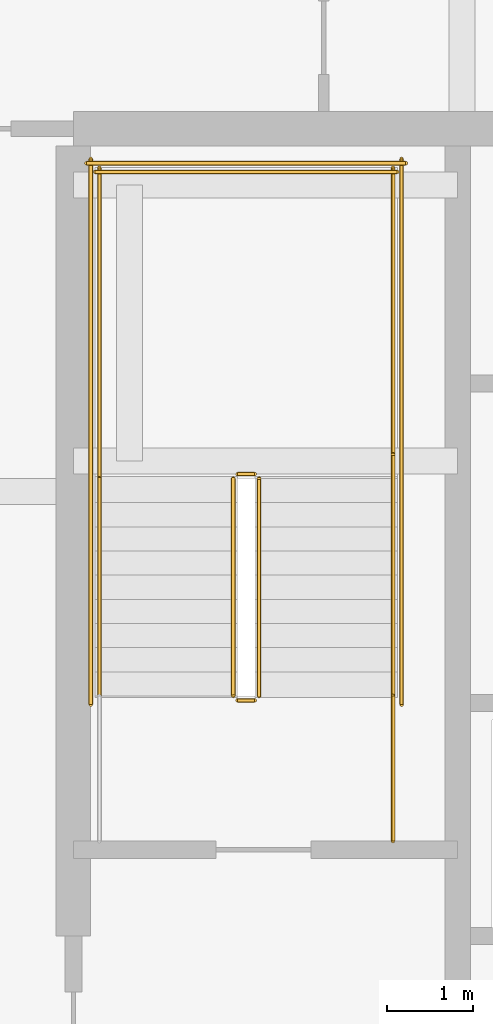
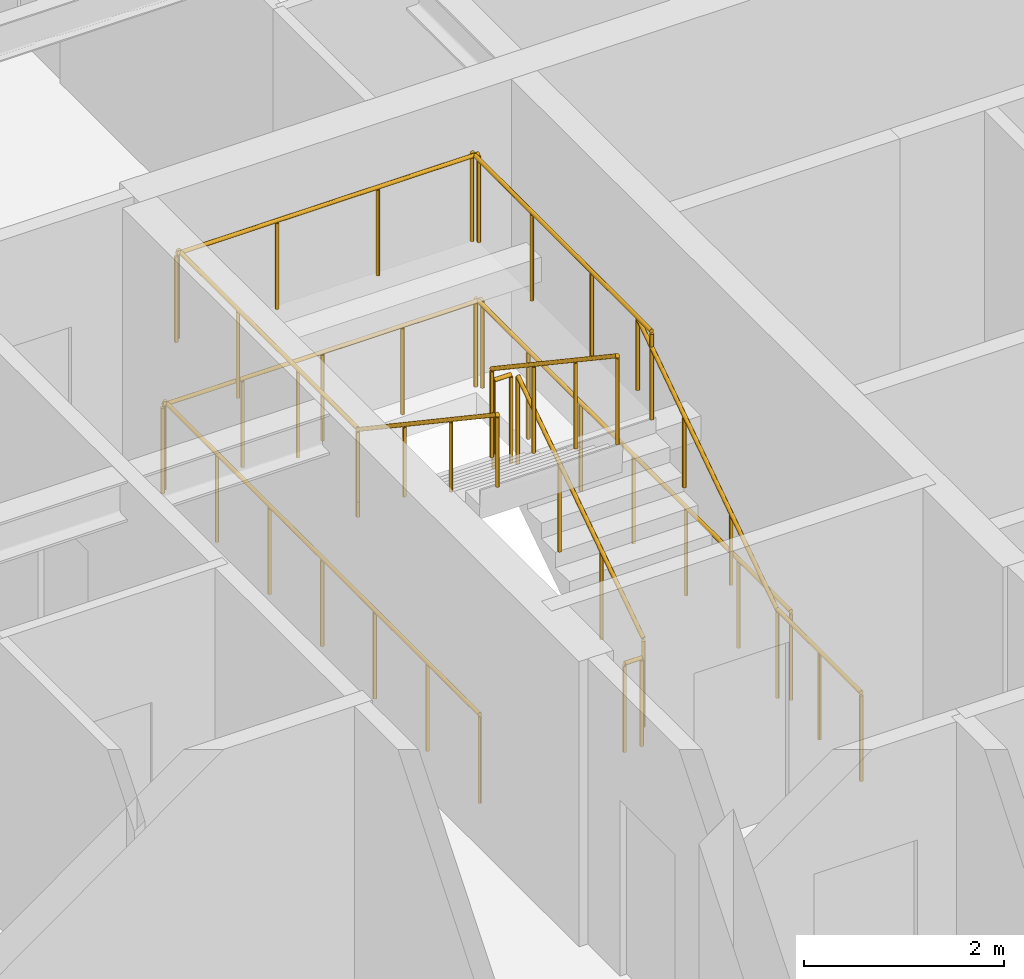
# One storey, part 30 of 33: 13 railings.
"""IFC4 building model written with IfcOpenShell, lengths in metres."""

import ifcopenshell
import ifcopenshell.guid

model = None  # the IFC model being written
_history = None  # IfcOwnerHistory: only IFC2X3 demands one
_inside = {}  # id of a spatial element -> (the spatial element, [elements in it])
_under = {}  # id of a project, library or spatial element -> (it, [spatial elements below it])
_declared = {}  # id of a project -> (the project, [libraries it declares])
_typed = {}  # id of a type object -> (the type object, [elements of that type])
_made_of = {}  # id of a material, layer set ... -> (it, [elements and type objects made of it])


def new_model(schema):
    """Start an empty IFC model of exactly this schema.

    Asked for "IFC4X3", IfcOpenShell would pick the latest addendum, in which some entities
    have other attributes; the version numbers below select the first issue.
    IFC2X3 requires an IfcOwnerHistory on every rooted entity: one is made here for all.
    """
    global model, _history
    if schema == "IFC4X3":
        model = ifcopenshell.file(schema_version=(4, 3, 0, 0))
    else:
        model = ifcopenshell.file(schema=schema)
    _inside.clear()
    _under.clear()
    _declared.clear()
    _typed.clear()
    _made_of.clear()
    _history = None
    if model.schema == "IFC2X3":
        org = make("IfcOrganization", Name="unknown")
        user = make(
            "IfcPersonAndOrganization",
            ThePerson=make("IfcPerson", FamilyName="unknown"),
            TheOrganization=org,
        )
        app = make(
            "IfcApplication",
            ApplicationDeveloper=org,
            Version="unknown",
            ApplicationFullName="unknown",
            ApplicationIdentifier="unknown",
        )
        _history = make(
            "IfcOwnerHistory",
            OwningUser=user,
            OwningApplication=app,
            ChangeAction="ADDED",
            CreationDate=0,
        )
    return model


def make(cls, **values):
    """One entity of the class cls with the attributes given. An attribute that is None is left unset."""
    return model.create_entity(
        cls, **{name: value for name, value in values.items() if value is not None}
    )


def rooted(cls, **values):
    """An entity with a GlobalId (a new one), such as an element, a storey or a relation."""
    return make(cls, GlobalId=ifcopenshell.guid.new(), OwnerHistory=_history, **values)


def si_unit(unit_type, name, prefix=None):
    """IfcSIUnit, for example si_unit("LENGTHUNIT", "METRE", prefix="MILLI")."""
    return make("IfcSIUnit", UnitType=unit_type, Prefix=prefix, Name=name)


def assignment(units):
    """IfcUnitAssignment: the units of a project."""
    return None if units is None else make("IfcUnitAssignment", Units=units)


def point(xyz):
    """IfcCartesianPoint."""
    return None if xyz is None else make("IfcCartesianPoint", Coordinates=xyz)


def direction(xyz):
    """IfcDirection."""
    return None if xyz is None else make("IfcDirection", DirectionRatios=xyz)


def frame(location, z_axis=None, x_axis=None):
    """IfcAxis2Placement3D, a coordinate frame: its origin and axes. An axis left out is left unset."""
    return make(
        "IfcAxis2Placement3D",
        Location=point(location),
        Axis=direction(z_axis),
        RefDirection=direction(x_axis),
    )


def frame_2d(location, x_axis=None):
    """IfcAxis2Placement2D, a coordinate frame in the plane: its origin and x axis."""
    return make(
        "IfcAxis2Placement2D", Location=point(location), RefDirection=direction(x_axis)
    )


def origin():
    """The frame at (0, 0, 0) with its axes left unset."""
    return frame((0.0, 0.0, 0.0))


def origin_2d():
    """The frame at (0, 0) in the plane with its x axis left unset."""
    return frame_2d((0.0, 0.0))


def place(relative_to, where):
    """IfcLocalPlacement: puts the frame where relative to a parent placement (None: the world)."""
    return make(
        "IfcLocalPlacement", PlacementRelTo=relative_to, RelativePlacement=where
    )


def context(
    kind, dimensions, precision=None, world=None, true_north=None, identifier=None
):
    """IfcGeometricRepresentationContext, for example the 3D "Model" context."""
    return make(
        "IfcGeometricRepresentationContext",
        ContextIdentifier=identifier,
        ContextType=kind,
        CoordinateSpaceDimension=dimensions,
        Precision=precision,
        WorldCoordinateSystem=world,
        TrueNorth=true_north,
    )


def subcontext(parent, identifier, kind, view, scale=None):
    """IfcGeometricRepresentationSubContext, for example "Body" below "Model"."""
    return make(
        "IfcGeometricRepresentationSubContext",
        ContextIdentifier=identifier,
        ContextType=kind,
        ParentContext=parent,
        TargetScale=scale,
        TargetView=view,
    )


def project(units=None, contexts=None):
    """IfcProject with its units and contexts."""
    return rooted(
        "IfcProject",
        Name="project",
        RepresentationContexts=contexts,
        UnitsInContext=assignment(units),
    )


def spatial(cls, under=None, at=None, **own):
    """A site, building, storey or space (cls), placed at a placement, below another one or the project."""
    s = rooted(cls, ObjectPlacement=at, **own)
    if under is not None:
        _under.setdefault(under.id(), (under, []))[1].append(s)
    return s


def profile(cls, at=None, kind="AREA", **sizes):
    """A parametric profile (cls). Its sizes go by their IFC names, for example OverallWidth=200.0."""
    return make(cls, ProfileType=kind, Position=at, **sizes)


def circle(**sizes):
    """IfcCircleProfileDef."""
    return profile("IfcCircleProfileDef", **sizes)


def extrude(swept, where, along, depth):
    """IfcExtrudedAreaSolid: the profile swept, set in the frame where, extruded along a direction by depth."""
    return make(
        "IfcExtrudedAreaSolid",
        SweptArea=swept,
        Position=where,
        ExtrudedDirection=direction(along),
        Depth=depth,
    )


def shape(context_of_items, identifier, shape_type, items):
    """IfcShapeRepresentation: the items that make up one representation, for example the "Body"."""
    return make(
        "IfcShapeRepresentation",
        ContextOfItems=context_of_items,
        RepresentationIdentifier=identifier,
        RepresentationType=shape_type,
        Items=items,
    )


def material(Name=None, Category=None):
    """IfcMaterial."""
    return make("IfcMaterial", Name=Name, Category=Category)


def made_of(thing, what):
    """Note that an element or type object is made of a material, layer set ...; save() writes the relation."""
    if what is not None:
        _made_of.setdefault(what.id(), (what, []))[1].append(thing)
    return thing


def type_object(cls, material=None, **own):
    """A type object (cls), such as IfcWallType, which elements share."""
    return made_of(rooted(cls, **own), material)


def element(
    cls,
    number,
    at=None,
    inside=None,
    cuts=None,
    type_object=None,
    material=None,
    context=None,
    identifier="Body",
    shape_type=None,
    held_by="IfcProductDefinitionShape",
    body=None,
    shapes=None,
    **own,
):
    """One element of the class cls, such as IfcWall. Its Tag is "e" and its number.

    at: its placement. inside: the storey or other place that contains it. cuts: it is an
    opening in that element (IfcRelVoidsElement). A single representation is given by context,
    identifier, shape_type and body (its items); several are given by shapes. held_by: the class
    of the entity that holds the representations. save() writes the other relations.
    """
    e = rooted(cls, Tag="e%d" % number, ObjectPlacement=at, **own)
    if body is not None:
        shapes = [shape(context, identifier, shape_type, body)]
    if shapes is not None:
        e.Representation = make(held_by, Representations=shapes)
    if inside is not None:
        _inside.setdefault(inside.id(), (inside, []))[1].append(e)
    if cuts is not None:
        rooted(
            "IfcRelVoidsElement", RelatingBuildingElement=cuts, RelatedOpeningElement=e
        )
    if type_object is not None:
        _typed.setdefault(type_object.id(), (type_object, []))[1].append(e)
    return made_of(e, material)


def aggregate(whole, parts):
    """IfcRelAggregates: a whole, such as a stair, and the parts it consists of."""
    return rooted("IfcRelAggregates", RelatingObject=whole, RelatedObjects=parts)


def save(model, path):
    """Write the relations noted so far, then the file.

    IfcRelAggregates (storeys below a building ...), IfcRelContainedInSpatialStructure (elements
    in a storey), IfcRelDefinesByType, IfcRelAssociatesMaterial and IfcRelDeclares: one each for
    every whole, place, type object, material and project.
    """
    for whole, parts in _under.values():
        aggregate(whole, parts)
    for where, things in _inside.values():
        rooted(
            "IfcRelContainedInSpatialStructure",
            RelatedElements=things,
            RelatingStructure=where,
        )
    for kind, things in _typed.values():
        rooted("IfcRelDefinesByType", RelatedObjects=things, RelatingType=kind)
    for what, things in _made_of.values():
        rooted("IfcRelAssociatesMaterial", RelatedObjects=things, RelatingMaterial=what)
    for by, libraries in _declared.values():
        rooted("IfcRelDeclares", RelatingContext=by, RelatedDefinitions=libraries)
    model.write(path)


model = new_model("IFC4")

# Units and contexts
model_context = context("Model", 3, precision=1e-05, world=origin(), true_north=direction((0.0, 1.0)))
body_context = subcontext(model_context, "Body", "Model", "MODEL_VIEW")
ifc_project = project(units=[si_unit("LENGTHUNIT", "METRE"), si_unit("AREAUNIT", "SQUARE_METRE"), si_unit("VOLUMEUNIT", "CUBIC_METRE"), si_unit("PLANEANGLEUNIT", "RADIAN"), si_unit("MASSUNIT", "GRAM", prefix="KILO")], contexts=[model_context])

# Site, building, storey
site_placement = place(None, origin())
site = spatial("IfcSite", under=ifc_project, at=site_placement, CompositionType="ELEMENT")
building_placement = place(site_placement, origin())
building = spatial("IfcBuilding", under=site, at=building_placement, Name="Serunith Strait Residences", CompositionType="ELEMENT")
storey_placement = place(building_placement, frame((0.0, 0.0, 150.14990234375)))
storey = spatial("IfcBuildingStorey", under=building, at=storey_placement, Name="L37", CompositionType="ELEMENT", Elevation=150.14990234375)

# Railings
ifc_material = material(Name="Brushed stainless steel 316L", Category="steel")
railing_type_1 = type_object("IfcRailingType", Name="RLG-STAIR-GUARD", PredefinedType="BALUSTRADE", material=ifc_material)
railing_1_placement = place(storey_placement, frame((25.550048828125, 27.030029296875, 0.1875)))
element("IfcRailing", 1, at=railing_1_placement, inside=storey, type_object=railing_type_1, Name="L37 ST-1 stair guard 1", PredefinedType="BALUSTRADE", context=body_context, shape_type="SweptSolid", body=[
    extrude(circle(Radius=0.02392578125, at=origin_2d()), frame((0.0, 0.001708984375, 1.0771484375), z_axis=(0.0, 0.830909170722, 0.55640807867), x_axis=(-1.0, 0.0, 0.0)), (0.0, 0.0, 1.0), 3.02880859375),
    extrude(circle(Radius=0.02099609375, at=origin_2d()), origin(), (0.0, 0.0, 1.0), 1.050048828125),
    extrude(circle(Radius=0.02099609375, at=origin_2d()), frame((0.0, 0.840087890625, 0.5625)), (0.0, 0.0, 1.0), 1.050048828125),
    extrude(circle(Radius=0.02099609375, at=origin_2d()), frame((0.0, 1.679931640625, 1.125)), (0.0, 0.0, 1.0), 1.050048828125),
    extrude(circle(Radius=0.02099609375, at=origin_2d()), frame((0.0, 2.52001953125, 1.6875)), (0.0, 0.0, 1.0), 1.050048828125),
])
railing_2_placement = place(storey_placement, frame((25.5, 29.60009765625, 1.875)))
element("IfcRailing", 2, at=railing_2_placement, inside=storey, type_object=railing_type_1, Name="L37 ST-1 stair guard 2", PredefinedType="BALUSTRADE", context=body_context, shape_type="SweptSolid", body=[
    extrude(circle(Radius=0.02392578125, at=origin_2d()), frame((-0.001953125, 0.0, 1.076171875), z_axis=(-1.0, 0.0, 0.0), x_axis=(0.0, -1.0, 0.0)), (0.0, 0.0, 1.0), 0.196044921875),
    extrude(circle(Radius=0.02099609375, at=origin_2d()), origin(), (0.0, 0.0, 1.0), 1.050048828125),
    extrude(circle(Radius=0.02099609375, at=origin_2d()), frame((-0.199951171875, 0.0, 0.0)), (0.0, 0.0, 1.0), 1.050048828125),
])
for number, where, name in (
    (3, (27.10009765625, 29.550048828125, 1.875), "L37 ST-1 stair guard 3"),
    (4, (23.699951171875, 29.550048828125, 1.875), "L37 ST-1 stair guard 4"),
):
    element("IfcRailing", number, at=place(storey_placement, frame(where)), inside=storey, type_object=railing_type_1, Name=name, PredefinedType="BALUSTRADE", context=body_context, shape_type="SweptSolid", body=[
        extrude(circle(Radius=0.02392578125, at=origin_2d()), frame((0.0, 0.001953125, 1.076171875), z_axis=(0.0, 1.0, 0.0), x_axis=(-1.0, 0.0, 0.0)), (0.0, 0.0, 1.0), 3.595947265625),
        extrude(circle(Radius=0.02099609375, at=origin_2d()), origin(), (0.0, 0.0, 1.0), 1.050048828125),
        extrude(circle(Radius=0.02099609375, at=origin_2d()), frame((0.0, 1.199951171875, 0.0)), (0.0, 0.0, 1.0), 1.050048828125),
        extrude(circle(Radius=0.02099609375, at=origin_2d()), frame((0.0, 2.39990234375, 0.0)), (0.0, 0.0, 1.0), 1.050048828125),
        extrude(circle(Radius=0.02099609375, at=origin_2d()), frame((0.0, 3.599853515625, 0.0)), (0.0, 0.0, 1.0), 1.050048828125),
    ])
railing_3_placement = place(storey_placement, frame((27.14990234375, 33.10009765625, 1.875)))
element("IfcRailing", 5, at=railing_3_placement, inside=storey, type_object=railing_type_1, Name="L37 ST-1 stair guard 5", PredefinedType="BALUSTRADE", context=body_context, shape_type="SweptSolid", body=[
    extrude(circle(Radius=0.02392578125, at=origin_2d()), frame((-0.001953125, 0.0, 1.076171875), z_axis=(-1.0, 0.0, 0.0), x_axis=(0.0, -1.0, 0.0)), (0.0, 0.0, 1.0), 3.49609375),
    extrude(circle(Radius=0.02099609375, at=origin_2d()), origin(), (0.0, 0.0, 1.0), 1.050048828125),
    extrude(circle(Radius=0.02099609375, at=origin_2d()), frame((-1.166748046875, 0.0, 0.0)), (0.0, 0.0, 1.0), 1.050048828125),
    extrude(circle(Radius=0.02099609375, at=origin_2d()), frame((-2.333251953125, 0.0, 0.0)), (0.0, 0.0, 1.0), 1.050048828125),
    extrude(circle(Radius=0.02099609375, at=origin_2d()), frame((-3.5, 0.0, 0.0)), (0.0, 0.0, 1.0), 1.050048828125),
])
railing_4_placement = place(storey_placement, frame((25.25, 29.550048828125, 2.0625)))
element("IfcRailing", 6, at=railing_4_placement, inside=storey, type_object=railing_type_1, Name="L37 ST-1 stair guard 6", PredefinedType="BALUSTRADE", context=body_context, shape_type="SweptSolid", body=[
    extrude(circle(Radius=0.02392578125, at=origin_2d()), frame((0.0, -0.001708984375, 1.0771484375), z_axis=(0.0, -0.830909170722, 0.55640807867), x_axis=(1.0, 0.0, 0.0)), (0.0, 0.0, 1.0), 3.02880859375),
    extrude(circle(Radius=0.02099609375, at=origin_2d()), origin(), (0.0, 0.0, 1.0), 1.050048828125),
    extrude(circle(Radius=0.02099609375, at=origin_2d()), frame((0.0, -0.840087890625, 0.5625)), (0.0, 0.0, 1.0), 1.050048828125),
    extrude(circle(Radius=0.02099609375, at=origin_2d()), frame((0.0, -1.679931640625, 1.125)), (0.0, 0.0, 1.0), 1.050048828125),
    extrude(circle(Radius=0.02099609375, at=origin_2d()), frame((0.0, -2.52001953125, 1.6875)), (0.0, 0.0, 1.0), 1.050048828125),
])
railing_5_placement = place(storey_placement, frame((25.5, 26.97998046875, 0.0)))
element("IfcRailing", 7, at=railing_5_placement, inside=storey, type_object=railing_type_1, Name="L37 ST-1 stair guard 7", PredefinedType="BALUSTRADE", context=body_context, shape_type="SweptSolid", body=[
    extrude(circle(Radius=0.02392578125, at=origin_2d()), frame((-0.001953125, 0.0, 1.076171875), z_axis=(-1.0, 0.0, 0.0), x_axis=(0.0, -1.0, 0.0)), (0.0, 0.0, 1.0), 0.196044921875),
    extrude(circle(Radius=0.02099609375, at=origin_2d()), origin(), (0.0, 0.0, 1.0), 1.050048828125),
    extrude(circle(Radius=0.02099609375, at=origin_2d()), frame((-0.199951171875, 0.0, 0.0)), (0.0, 0.0, 1.0), 1.050048828125),
])
railing_6_placement = place(storey_placement, frame((27.10009765625, 25.35009765625, 0.0)))
element("IfcRailing", 8, at=railing_6_placement, inside=storey, type_object=railing_type_1, Name="L37 ST-1 stair guard 8", PredefinedType="BALUSTRADE", context=body_context, shape_type="SweptSolid", body=[
    extrude(circle(Radius=0.02392578125, at=origin_2d()), frame((0.0, 0.001953125, 1.076171875), z_axis=(0.0, 1.0, 0.0), x_axis=(-1.0, 0.0, 0.0)), (0.0, 0.0, 1.0), 1.676025390625),
    extrude(circle(Radius=0.02099609375, at=origin_2d()), origin(), (0.0, 0.0, 1.0), 1.050048828125),
    extrude(circle(Radius=0.02099609375, at=origin_2d()), frame((0.0, 0.83984375, 0.0)), (0.0, 0.0, 1.0), 1.050048828125),
    extrude(circle(Radius=0.02099609375, at=origin_2d()), frame((0.0, 1.679931640625, 0.0)), (0.0, 0.0, 1.0), 1.050048828125),
])
for number, where, name in (
    (9, (27.199951171875, 26.929931640625, 0.0), "L37 ST-1 stair guard 10"),
    (10, (23.60009765625, 26.929931640625, 0.0), "L37 ST-1 stair guard 11"),
):
    element("IfcRailing", number, at=place(storey_placement, frame(where)), inside=storey, type_object=railing_type_1, Name=name, PredefinedType="BALUSTRADE", context=body_context, shape_type="SweptSolid", body=[
        extrude(circle(Radius=0.02392578125, at=origin_2d()), frame((0.0, 0.001953125, 1.076171875), z_axis=(0.0, 1.0, 0.0), x_axis=(-1.0, 0.0, 0.0)), (0.0, 0.0, 1.0), 6.316162109375),
        extrude(circle(Radius=0.02099609375, at=origin_2d()), origin(), (0.0, 0.0, 1.0), 1.050048828125),
        extrude(circle(Radius=0.02099609375, at=origin_2d()), frame((0.0, 1.05322265625, 0.0)), (0.0, 0.0, 1.0), 1.050048828125),
        extrude(circle(Radius=0.02099609375, at=origin_2d()), frame((0.0, 2.106689453125, 0.0)), (0.0, 0.0, 1.0), 1.050048828125),
        extrude(circle(Radius=0.02099609375, at=origin_2d()), frame((0.0, 3.16015625, 0.0)), (0.0, 0.0, 1.0), 1.050048828125),
        extrude(circle(Radius=0.02099609375, at=origin_2d()), frame((0.0, 4.21337890625, 0.0)), (0.0, 0.0, 1.0), 1.050048828125),
        extrude(circle(Radius=0.02099609375, at=origin_2d()), frame((0.0, 5.2666015625, 0.0)), (0.0, 0.0, 1.0), 1.050048828125),
        extrude(circle(Radius=0.02099609375, at=origin_2d()), frame((0.0, 6.320068359375, 0.0)), (0.0, 0.0, 1.0), 1.050048828125),
    ])
railing_7_placement = place(storey_placement, frame((27.25, 33.199951171875, 0.0)))
element("IfcRailing", 11, at=railing_7_placement, inside=storey, type_object=railing_type_1, Name="L37 ST-1 stair guard 12", PredefinedType="BALUSTRADE", context=body_context, shape_type="SweptSolid", body=[
    extrude(circle(Radius=0.02392578125, at=origin_2d()), frame((-0.001953125, 0.0, 1.076171875), z_axis=(-1.0, 0.0, 0.0), x_axis=(0.0, -1.0, 0.0)), (0.0, 0.0, 1.0), 3.696044921875),
    extrude(circle(Radius=0.02099609375, at=origin_2d()), origin(), (0.0, 0.0, 1.0), 1.050048828125),
    extrude(circle(Radius=0.02099609375, at=origin_2d()), frame((-0.925048828125, 0.0, 0.0)), (0.0, 0.0, 1.0), 1.050048828125),
    extrude(circle(Radius=0.02099609375, at=origin_2d()), frame((-1.85009765625, 0.0, 0.0)), (0.0, 0.0, 1.0), 1.050048828125),
    extrude(circle(Radius=0.02099609375, at=origin_2d()), frame((-2.77490234375, 0.0, 0.0)), (0.0, 0.0, 1.0), 1.050048828125),
    extrude(circle(Radius=0.02099609375, at=origin_2d()), frame((-3.699951171875, 0.0, 0.0)), (0.0, 0.0, 1.0), 1.050048828125),
])
railing_type_2 = type_object("IfcRailingType", Name="RLG-STAIR-HR", PredefinedType="HANDRAIL", material=ifc_material)
railing_8_placement = place(storey_placement, frame((27.10009765625, 27.030029296875, 0.1875)))
element("IfcRailing", 12, at=railing_8_placement, inside=storey, type_object=railing_type_2, Name="L37 ST-1 stair handrail 1", PredefinedType="HANDRAIL", context=body_context, shape_type="SweptSolid", body=[
    extrude(circle(Radius=0.02392578125, at=origin_2d()), frame((0.0, 0.001708984375, 0.876953125), z_axis=(0.0, 0.830208209119, 0.557453432594), x_axis=(-1.0, 0.0, 0.0)), (0.0, 0.0, 1.0), 3.36865234375),
    extrude(circle(Radius=0.02099609375, at=origin_2d()), origin(), (0.0, 0.0, 1.0), 0.849853515625),
    extrude(circle(Radius=0.02099609375, at=origin_2d()), frame((0.0, 0.933349609375, 0.626708984375)), (0.0, 0.0, 1.0), 0.849853515625),
    extrude(circle(Radius=0.02099609375, at=origin_2d()), frame((0.0, 1.86669921875, 1.25341796875)), (0.0, 0.0, 1.0), 0.849853515625),
    extrude(circle(Radius=0.02099609375, at=origin_2d()), frame((0.0, 2.800048828125, 1.880126953125)), (0.0, 0.0, 1.0), 0.849853515625),
])
railing_9_placement = place(storey_placement, frame((23.699951171875, 29.550048828125, 2.0625)))
element("IfcRailing", 13, at=railing_9_placement, inside=storey, type_object=railing_type_2, Name="L37 ST-1 stair handrail 2", PredefinedType="HANDRAIL", context=body_context, shape_type="SweptSolid", body=[
    extrude(circle(Radius=0.02392578125, at=origin_2d()), frame((0.0, -0.001708984375, 0.876953125), z_axis=(0.0, -0.830208209119, 0.557453432594), x_axis=(1.0, 0.0, 0.0)), (0.0, 0.0, 1.0), 3.36865234375),
    extrude(circle(Radius=0.02099609375, at=origin_2d()), origin(), (0.0, 0.0, 1.0), 0.849853515625),
    extrude(circle(Radius=0.02099609375, at=origin_2d()), frame((0.0, -0.933349609375, 0.626708984375)), (0.0, 0.0, 1.0), 0.849853515625),
    extrude(circle(Radius=0.02099609375, at=origin_2d()), frame((0.0, -1.86669921875, 1.25341796875)), (0.0, 0.0, 1.0), 0.849853515625),
    extrude(circle(Radius=0.02099609375, at=origin_2d()), frame((0.0, -2.800048828125, 1.880126953125)), (0.0, 0.0, 1.0), 0.849853515625),
])

save(model, "model.ifc")
